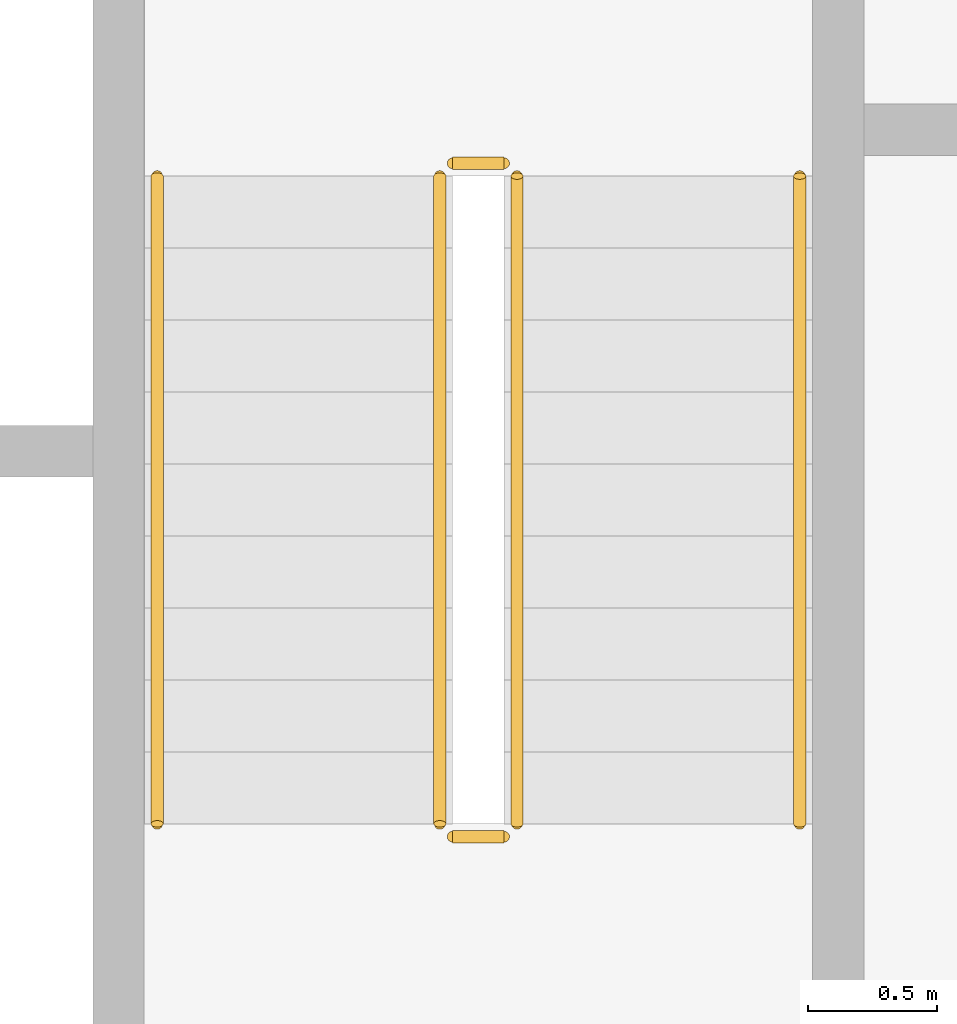
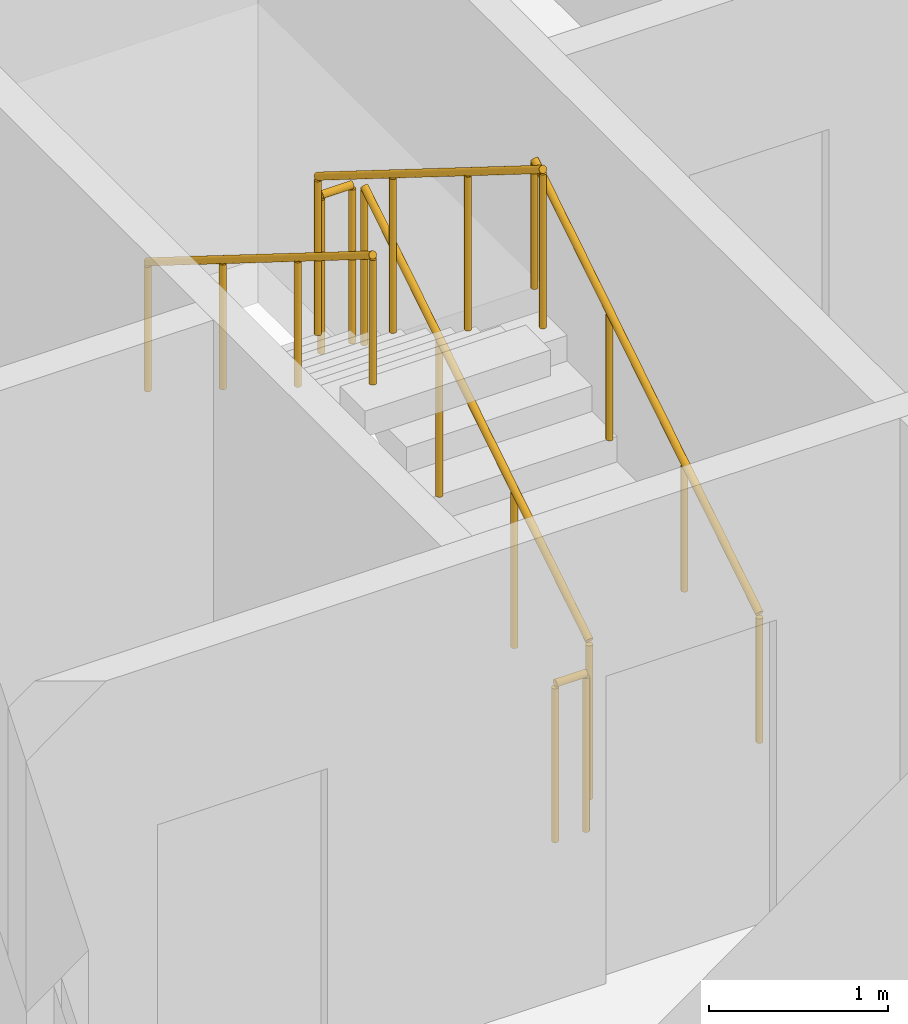
# One storey, part 16 of 21: 6 railings.
"""IFC4 building model written with IfcOpenShell, lengths in metres."""

from ifc_helpers import new_model, si_unit, direction, frame, origin, origin_2d, place, context, subcontext, project, spatial, circle, extrude, material, type_object, element, save


model = new_model("IFC4")

# Units and contexts
model_context = context("Model", 3, precision=1e-05, world=origin(), true_north=direction((0.0, 1.0)))
body_context = subcontext(model_context, "Body", "Model", "MODEL_VIEW")
ifc_project = project(units=[si_unit("LENGTHUNIT", "METRE"), si_unit("AREAUNIT", "SQUARE_METRE"), si_unit("VOLUMEUNIT", "CUBIC_METRE"), si_unit("PLANEANGLEUNIT", "RADIAN"), si_unit("MASSUNIT", "GRAM", prefix="KILO")], contexts=[model_context])

# Site, building, storey
site_placement = place(None, origin())
site = spatial("IfcSite", under=ifc_project, at=site_placement, CompositionType="ELEMENT")
building_placement = place(site_placement, origin())
building = spatial("IfcBuilding", under=site, at=building_placement, Name="Kiln Ring Residences", CompositionType="ELEMENT")
storey_placement = place(building_placement, frame((0.0, 0.0, 51.5)))
storey = spatial("IfcBuildingStorey", under=building, at=storey_placement, Name="L12", CompositionType="ELEMENT", Elevation=51.5)

# Railings
ifc_material_1 = material(Name="Stainless steel", Category="steel")
railing_type_1 = type_object("IfcRailingType", Name="CORE-STAIR-GUARD", PredefinedType="GUARDRAIL", material=ifc_material_1)
railing_1_placement = place(storey_placement, frame((22.25, -8.39990234375, 0.175048828125)))
element("IfcRailing", 1, at=railing_1_placement, inside=storey, type_object=railing_type_1, Name="L12 E-STS stair guard 1", PredefinedType="GUARDRAIL", context=body_context, shape_type="SweptSolid", body=[
    extrude(circle(Radius=0.02392578125, at=origin_2d()), frame((0.0, 0.0, 1.076171875), z_axis=(0.0, 0.848007534815, 0.529984170421), x_axis=(-1.0, 0.0, 0.0)), (0.0, 0.0, 1.0), 2.9716796875),
    extrude(circle(Radius=0.02099609375, at=origin_2d()), origin(), (0.0, 0.0, 1.0), 1.052001953125),
    extrude(circle(Radius=0.02099609375, at=origin_2d()), frame((0.0, 0.840087890625, 0.52490234375)), (0.0, 0.0, 1.0), 1.052001953125),
    extrude(circle(Radius=0.02099609375, at=origin_2d()), frame((0.0, 1.679931640625, 1.050048828125)), (0.0, 0.0, 1.0), 1.052001953125),
    extrude(circle(Radius=0.02099609375, at=origin_2d()), frame((0.0, 2.52001953125, 1.574951171875)), (0.0, 0.0, 1.0), 1.052001953125),
])
railing_2_placement = place(storey_placement, frame((22.199951171875, -5.830078125, 1.75)))
element("IfcRailing", 2, at=railing_2_placement, inside=storey, type_object=railing_type_1, Name="L12 E-STS stair guard 2", PredefinedType="GUARDRAIL", context=body_context, shape_type="SweptSolid", body=[
    extrude(circle(Radius=0.02392578125, at=origin_2d()), frame((0.0, 0.0, 1.076171875), z_axis=(-1.0, 0.0, 0.0), x_axis=(0.0, -1.0, 0.0)), (0.0, 0.0, 1.0), 0.199951171875),
    extrude(circle(Radius=0.02099609375, at=origin_2d()), origin(), (0.0, 0.0, 1.0), 1.052001953125),
    extrude(circle(Radius=0.02099609375, at=origin_2d()), frame((-0.199951171875, 0.0, 0.0)), (0.0, 0.0, 1.0), 1.052001953125),
])
railing_3_placement = place(storey_placement, frame((21.949951171875, -5.8798828125, 1.925048828125)))
element("IfcRailing", 3, at=railing_3_placement, inside=storey, type_object=railing_type_1, Name="L12 E-STS stair guard 3", PredefinedType="GUARDRAIL", context=body_context, shape_type="SweptSolid", body=[
    extrude(circle(Radius=0.02392578125, at=origin_2d()), frame((0.0, 0.0, 1.076171875), z_axis=(0.0, -0.848007534815, 0.529984170421), x_axis=(1.0, 0.0, 0.0)), (0.0, 0.0, 1.0), 2.9716796875),
    extrude(circle(Radius=0.02099609375, at=origin_2d()), origin(), (0.0, 0.0, 1.0), 1.052001953125),
    extrude(circle(Radius=0.02099609375, at=origin_2d()), frame((0.0, -0.840087890625, 0.52490234375)), (0.0, 0.0, 1.0), 1.052001953125),
    extrude(circle(Radius=0.02099609375, at=origin_2d()), frame((0.0, -1.679931640625, 1.050048828125)), (0.0, 0.0, 1.0), 1.052001953125),
    extrude(circle(Radius=0.02099609375, at=origin_2d()), frame((0.0, -2.52001953125, 1.574951171875)), (0.0, 0.0, 1.0), 1.052001953125),
])
railing_4_placement = place(storey_placement, frame((22.199951171875, -8.449951171875, 0.0)))
element("IfcRailing", 4, at=railing_4_placement, inside=storey, type_object=railing_type_1, Name="L12 E-STS stair guard 4", PredefinedType="GUARDRAIL", context=body_context, shape_type="SweptSolid", body=[
    extrude(circle(Radius=0.02392578125, at=origin_2d()), frame((0.0, 0.0, 1.076171875), z_axis=(-1.0, 0.0, 0.0), x_axis=(0.0, -1.0, 0.0)), (0.0, 0.0, 1.0), 0.199951171875),
    extrude(circle(Radius=0.02099609375, at=origin_2d()), origin(), (0.0, 0.0, 1.0), 1.052001953125),
    extrude(circle(Radius=0.02099609375, at=origin_2d()), frame((-0.199951171875, 0.0, 0.0)), (0.0, 0.0, 1.0), 1.052001953125),
])
ifc_material_2 = material(Name="Stainless steel", Category="steel")
railing_type_2 = type_object("IfcRailingType", Name="CORE-STAIR-HANDRAIL", PredefinedType="HANDRAIL", material=ifc_material_2)
railing_5_placement = place(storey_placement, frame((23.35009765625, -8.39990234375, 0.175048828125)))
element("IfcRailing", 5, at=railing_5_placement, inside=storey, type_object=railing_type_2, Name="L12 E-STS stair handrail 1", PredefinedType="HANDRAIL", context=body_context, shape_type="SweptSolid", body=[
    extrude(circle(Radius=0.02392578125, at=origin_2d()), frame((0.0, 0.0, 0.8759765625), z_axis=(0.0, 0.848007534815, 0.529984170421), x_axis=(-1.0, 0.0, 0.0)), (0.0, 0.0, 1.0), 2.9716796875),
    extrude(circle(Radius=0.02099609375, at=origin_2d()), origin(), (0.0, 0.0, 1.0), 0.851806640625),
    extrude(circle(Radius=0.02099609375, at=origin_2d()), frame((0.0, 0.840087890625, 0.52490234375)), (0.0, 0.0, 1.0), 0.851806640625),
    extrude(circle(Radius=0.02099609375, at=origin_2d()), frame((0.0, 1.679931640625, 1.050048828125)), (0.0, 0.0, 1.0), 0.851806640625),
    extrude(circle(Radius=0.02099609375, at=origin_2d()), frame((0.0, 2.52001953125, 1.574951171875)), (0.0, 0.0, 1.0), 0.851806640625),
])
railing_6_placement = place(storey_placement, frame((20.85009765625, -5.8798828125, 1.925048828125)))
element("IfcRailing", 6, at=railing_6_placement, inside=storey, type_object=railing_type_2, Name="L12 E-STS stair handrail 2", PredefinedType="HANDRAIL", context=body_context, shape_type="SweptSolid", body=[
    extrude(circle(Radius=0.02392578125, at=origin_2d()), frame((0.0, 0.0, 0.8759765625), z_axis=(0.0, -0.848007534815, 0.529984170421), x_axis=(1.0, 0.0, 0.0)), (0.0, 0.0, 1.0), 2.9716796875),
    extrude(circle(Radius=0.02099609375, at=origin_2d()), origin(), (0.0, 0.0, 1.0), 0.851806640625),
    extrude(circle(Radius=0.02099609375, at=origin_2d()), frame((0.0, -0.840087890625, 0.52490234375)), (0.0, 0.0, 1.0), 0.851806640625),
    extrude(circle(Radius=0.02099609375, at=origin_2d()), frame((0.0, -1.679931640625, 1.050048828125)), (0.0, 0.0, 1.0), 0.851806640625),
    extrude(circle(Radius=0.02099609375, at=origin_2d()), frame((0.0, -2.52001953125, 1.574951171875)), (0.0, 0.0, 1.0), 0.851806640625),
])

save(model, "model.ifc")
